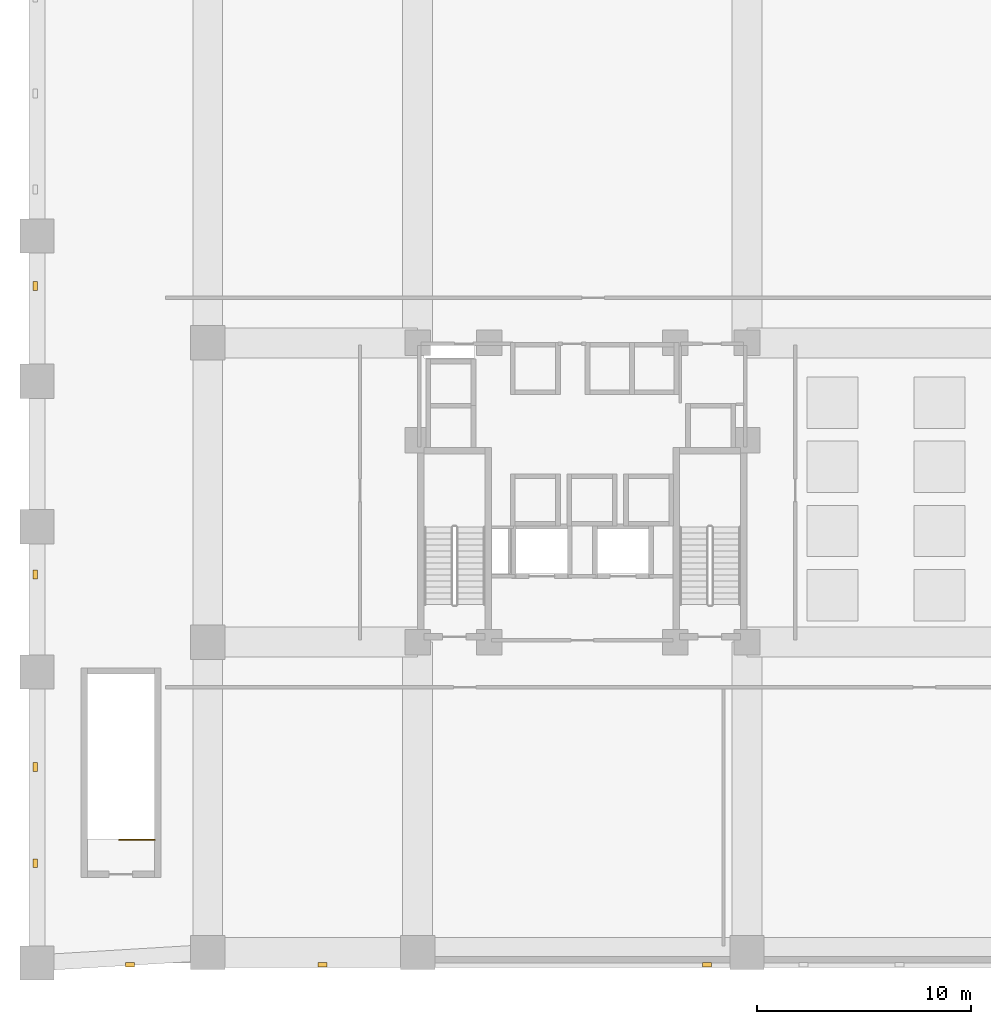
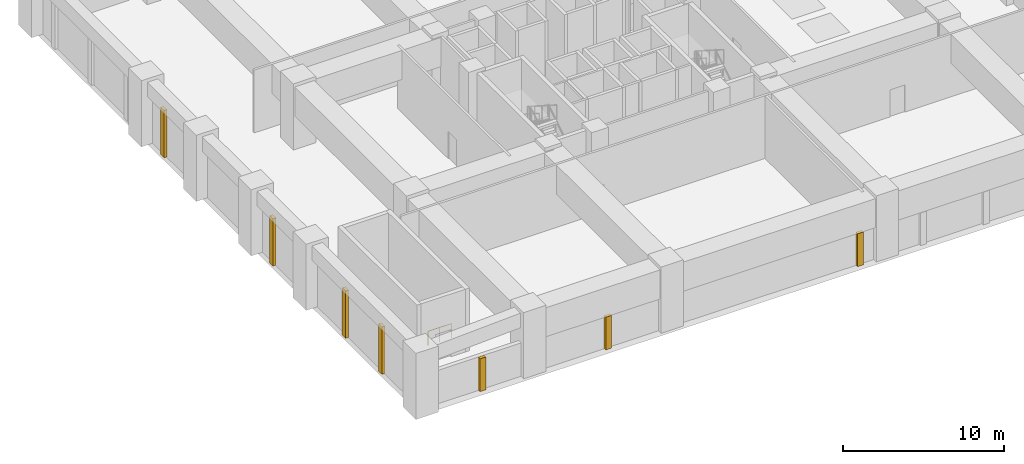
# One storey, part 4 of 6: 7 coverings, 1 railing.
"""IFC4 building model written with IfcOpenShell, lengths in metres."""

from ifc_helpers import new_model, si_unit, derived_unit, direction, frame, origin, origin_2d, place, context, subcontext, project, spatial, rectangle, circle, extrude, material, layer, layer_set, type_object, element, save


model = new_model("IFC4")

# Units and contexts
model_context = context("Model", 3, precision=1e-05, world=origin(), true_north=direction((0.0, 1.0)))
body_context = subcontext(model_context, "Body", "Model", "MODEL_VIEW")
ifc_project = project(units=[si_unit("LENGTHUNIT", "METRE"), si_unit("AREAUNIT", "SQUARE_METRE"), si_unit("VOLUMEUNIT", "CUBIC_METRE"), si_unit("PLANEANGLEUNIT", "RADIAN"), si_unit("MASSUNIT", "GRAM", prefix="KILO"), derived_unit("THERMALTRANSMITTANCEUNIT", [(si_unit("MASSUNIT", "GRAM", prefix="KILO"), 1), (si_unit("TIMEUNIT", "SECOND"), -3), (si_unit("THERMODYNAMICTEMPERATUREUNIT", "KELVIN"), -1)])], contexts=[model_context])

# Site, building, storey
site_placement = place(None, origin())
site = spatial("IfcSite", under=ifc_project, at=site_placement, CompositionType="ELEMENT")
building_placement = place(site_placement, origin())
building = spatial("IfcBuilding", under=site, at=building_placement, Name="Korrvale Station Residences", CompositionType="ELEMENT")
storey_placement = place(building_placement, frame((0.0, 0.0, 20.800048828125)))
storey = spatial("IfcBuildingStorey", under=building, at=storey_placement, Name="L04", CompositionType="ELEMENT", Elevation=20.800048828125)

# Coverings
ifc_material_1 = material(Name="Architectural precast concrete C45/55", Category="concrete")
ifc_layer = layer(ifc_material_1, 0.219970703125, Name="Architectural precast concrete C45/55")
ifc_layer_set = layer_set([ifc_layer], Name="Architectural precast concrete C45/55")
covering_type = type_object("IfcCoveringType", Name="COV-PIER-400", PredefinedType="CLADDING", material=ifc_layer_set)
for number, where, z_axis, x_axis, name in (
    (1, (31.340087890625, -0.090087890625, 0.02490234375), (0.0, 0.0, 1.0), (1.0, 0.0, 0.0), "L04 Architectural Precast Facade Pier 04"),
    (2, (13.340087890625, -0.090087890625, 0.02490234375), (0.0, 0.0, 1.0), (1.0, 0.0, 0.0), "L04 Architectural Precast Facade Pier 05"),
    (3, (4.340087890625, -0.090087890625, 0.02490234375), (0.0, 0.0, 1.0), (1.0, 0.0, 0.0), "L04 Architectural Precast Facade Pier 06"),
):
    element("IfcCovering", number, at=place(storey_placement, frame(where, z_axis=z_axis, x_axis=x_axis)), inside=storey, type_object=covering_type, Name=name, PredefinedType="CLADDING", context=body_context, shape_type="SweptSolid", body=[
        extrude(rectangle(XDim=0.419921875, YDim=0.219970703125, at=origin_2d()), origin(), (0.0, 0.0, 1.0), 2.47509765625),
    ])
for number, where, z_axis, x_axis, name in (
    (4, (-0.090087890625, 4.659912109375, 0.02490234375), (0.0, 0.0, 1.0), (0.0, 1.0, 0.0), "L04 Architectural Precast Facade Pier 13"),
    (5, (-0.090087890625, 9.159912109375, 0.02490234375), (0.0, 0.0, 1.0), (0.0, 1.0, 0.0), "L04 Architectural Precast Facade Pier 14"),
    (6, (-0.090087890625, 18.159912109375, 0.02490234375), (0.0, 0.0, 1.0), (0.0, 1.0, 0.0), "L04 Architectural Precast Facade Pier 15"),
    (7, (-0.090087890625, 31.659912109375, 0.02490234375), (0.0, 0.0, 1.0), (0.0, 1.0, 0.0), "L04 Architectural Precast Facade Pier 16"),
):
    element("IfcCovering", number, at=place(storey_placement, frame(where, z_axis=z_axis, x_axis=x_axis)), inside=storey, type_object=covering_type, Name=name, PredefinedType="CLADDING", context=body_context, shape_type="SweptSolid", body=[
        extrude(rectangle(XDim=0.419921875, YDim=0.219970703125, at=origin_2d()), origin(), (0.0, 0.0, 1.0), 3.574951171875),
    ])

# Railing
ifc_material_2 = material(Name="Galvanised painted tubular steel stair guard", Category="steel")
railing_type = type_object("IfcRailingType", Name="RLG-STR-1100", PredefinedType="GUARDRAIL", material=ifc_material_2)
railing_placement = place(storey_placement, frame((5.5, 5.75, 0.0)))
element("IfcRailing", 8, at=railing_placement, inside=storey, type_object=railing_type, Name="L04 ST-3 top well guard 1", PredefinedType="GUARDRAIL", context=body_context, shape_type="SweptSolid", body=[
    extrude(circle(Radius=0.02392578125, at=origin_2d()), frame((0.0, 0.0, 1.076171875), z_axis=(-1.0, 0.0, 0.0), x_axis=(0.0, -1.0, 0.0)), (0.0, 0.0, 1.0), 1.64990234375),
    extrude(circle(Radius=0.02099609375, at=origin_2d()), origin(), (0.0, 0.0, 1.0), 1.052001953125),
    extrude(circle(Radius=0.02099609375, at=origin_2d()), frame((-0.824951171875, 0.0, 0.0)), (0.0, 0.0, 1.0), 1.052001953125),
    extrude(circle(Radius=0.02099609375, at=origin_2d()), frame((-1.64990234375, 0.0, 0.0)), (0.0, 0.0, 1.0), 1.052001953125),
])

save(model, "model.ifc")
